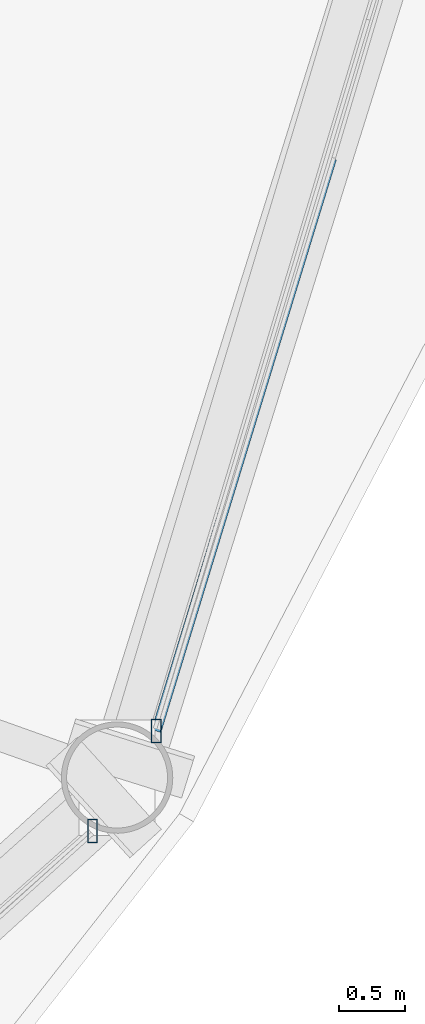
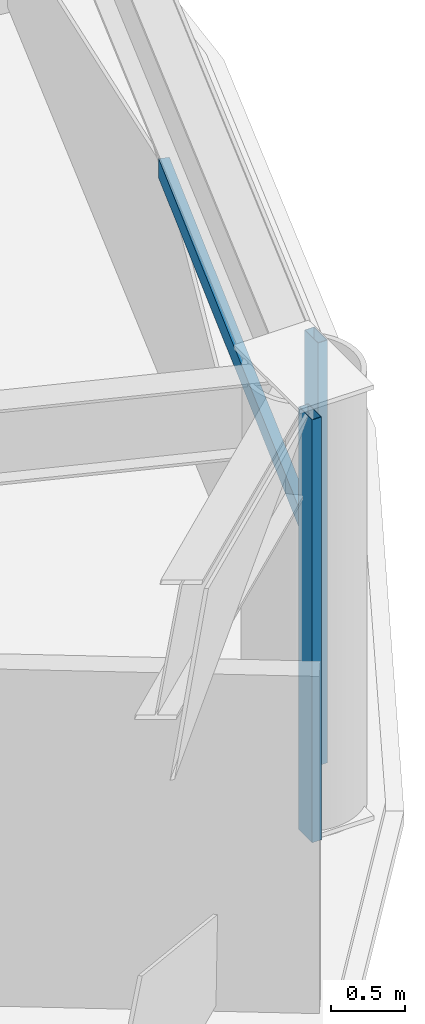
# One storey, part 10 of 33: 3 members, 2 elements without a shape of their own.
"""IFC4 building model written with IfcOpenShell, lengths in metres."""

from ifc_helpers import new_model, si_unit, direction, frame, origin, origin_2d, place, context, subcontext, project, spatial, hollow_rectangle, extrude, material, layer, layer_set, material_profile, profile_set, type_object, element, aggregate, save


model = new_model("IFC4")

# Units and contexts
model_context = context("Model", 3, precision=1e-05, world=origin(), true_north=direction((0.0, 1.0)))
body_context = subcontext(model_context, "Body", "Model", "MODEL_VIEW")
ifc_project = project(units=[si_unit("LENGTHUNIT", "METRE"), si_unit("AREAUNIT", "SQUARE_METRE"), si_unit("VOLUMEUNIT", "CUBIC_METRE"), si_unit("PLANEANGLEUNIT", "RADIAN"), si_unit("MASSUNIT", "GRAM", prefix="KILO")], contexts=[model_context])

# Site, building, storey
site_placement = place(None, origin())
site = spatial("IfcSite", under=ifc_project, at=site_placement, CompositionType="ELEMENT")
building_placement = place(site_placement, origin())
building = spatial("IfcBuilding", under=site, at=building_placement, Name="Vantalir Tower", CompositionType="ELEMENT")
storey_placement = place(building_placement, frame((0.0, 0.0, 72.0)))
storey = spatial("IfcBuildingStorey", under=building, at=storey_placement, Name="L17", CompositionType="ELEMENT", Elevation=72.0)

# Curtain wall, member
ifc_material_1 = material(Name="Champagne-silver PVDF aluminium and double-silver Low-E glass", Category="aluminium")
ifc_layer = layer(ifc_material_1, 0.18994140625)
ifc_layer_set = layer_set([ifc_layer], Name="Champagne-silver PVDF aluminium and double-silver Low-E glass")
curtain_wall_type = type_object("IfcCurtainWallType", Name="CW-DIAMOND-Z1", PredefinedType="USERDEFINED", material=ifc_layer_set)
curtain_wall_1_placement = place(storey_placement, origin())
curtain_wall_1 = element("IfcCurtainWall", 1, at=curtain_wall_1_placement, inside=storey, type_object=curtain_wall_type, Name="L17 Quilted Pyramid-Diamond Curtain Wall S11", ObjectType="UNITISED CURTAIN WALL", PredefinedType="USERDEFINED")
ifc_material_2 = material(Name="Champagne-silver PVDF aluminium 6063-T6", Category="aluminium")
ifc_material_profile_1 = material_profile(ifc_material_2, hollow_rectangle(XDim=0.074951171875, YDim=0.179931640625, WallThickness=0.00390625, at=origin_2d()), Name="Champagne-silver PVDF aluminium 6063-T6")
ifc_profile_set_1 = profile_set([ifc_material_profile_1], Name="Champagne-silver PVDF aluminium 6063-T6")
member_type_1 = type_object("IfcMemberType", Name="CWM-180x75", PredefinedType="MULLION", material=ifc_profile_set_1)
member_1_placement = place(storey_placement, frame((55.259033203125, 12.277099609375, 0.044921875), z_axis=(0.0, 0.0, 1.0), x_axis=(1.0, 0.0, 0.0)))
member_1 = element("IfcMember", 2, at=member_1_placement, type_object=member_type_1, Name="CW-L17-S11 Mullion 2", PredefinedType="MULLION", context=body_context, shape_type="SweptSolid", body=[
    extrude(hollow_rectangle(XDim=0.074951171875, YDim=0.179931640625, WallThickness=0.00390625, at=origin_2d()), origin(), (0.0, 0.0, 1.0), 3.47998046875),
])
aggregate(curtain_wall_1, [member_1])

# Curtain wall, members
curtain_wall_2_placement = place(storey_placement, origin())
curtain_wall_2 = element("IfcCurtainWall", 3, at=curtain_wall_2_placement, inside=storey, type_object=curtain_wall_type, Name="L17 Quilted Pyramid-Diamond Curtain Wall S12", ObjectType="UNITISED CURTAIN WALL", PredefinedType="USERDEFINED")
member_2_placement = place(storey_placement, frame((55.7451171875, 13.0400390625, 0.044921875), z_axis=(0.0, 0.0, 1.0), x_axis=(1.0, 0.0, 0.0)))
member_2 = element("IfcMember", 4, at=member_2_placement, type_object=member_type_1, Name="CW-L17-S12 Mullion 1", PredefinedType="MULLION", context=body_context, shape_type="SweptSolid", body=[
    extrude(hollow_rectangle(XDim=0.074951171875, YDim=0.179931640625, WallThickness=0.00390625, at=origin_2d()), origin(), (0.0, 0.0, 1.0), 3.47998046875),
])
ifc_material_profile_2 = material_profile(ifc_material_2, hollow_rectangle(XDim=0.074951171875, YDim=0.159912109375, WallThickness=0.00390625, at=origin_2d()), Name="Champagne-silver PVDF aluminium 6063-T6")
ifc_profile_set_2 = profile_set([ifc_material_profile_2], Name="Champagne-silver PVDF aluminium 6063-T6")
member_type_2 = type_object("IfcMemberType", Name="CWT-160x75", PredefinedType="USERDEFINED", material=ifc_profile_set_2)
member_3_placement = place(storey_placement, frame((55.7451171875, 13.0400390625, 1.784912109375), z_axis=(0.292928712339, 0.956134284234, 0.0), x_axis=(-0.956134284234, 0.292928712339, 0.0)))
member_3 = element("IfcMember", 5, at=member_3_placement, type_object=member_type_2, Name="CW-L17-S12 Pyramid Fold Ridge Transom", ObjectType="TRANSOM", PredefinedType="USERDEFINED", context=body_context, shape_type="SweptSolid", body=[
    extrude(hollow_rectangle(XDim=0.074951171875, YDim=0.159912109375, WallThickness=0.00390625, at=origin_2d()), origin(), (0.0, 0.0, 1.0), 4.5673828125),
])
aggregate(curtain_wall_2, [member_2, member_3])

save(model, "model.ifc")
